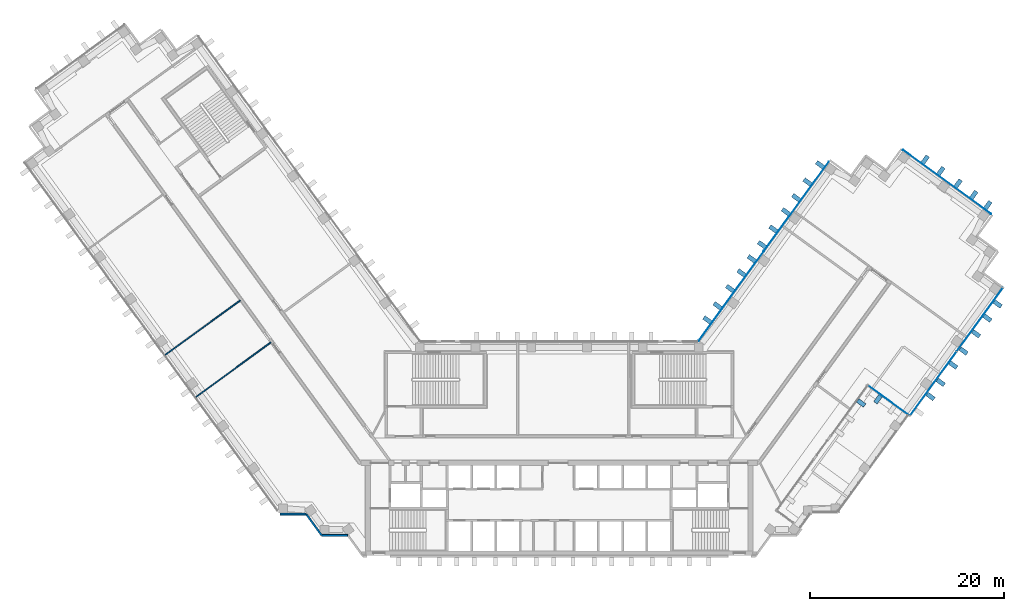
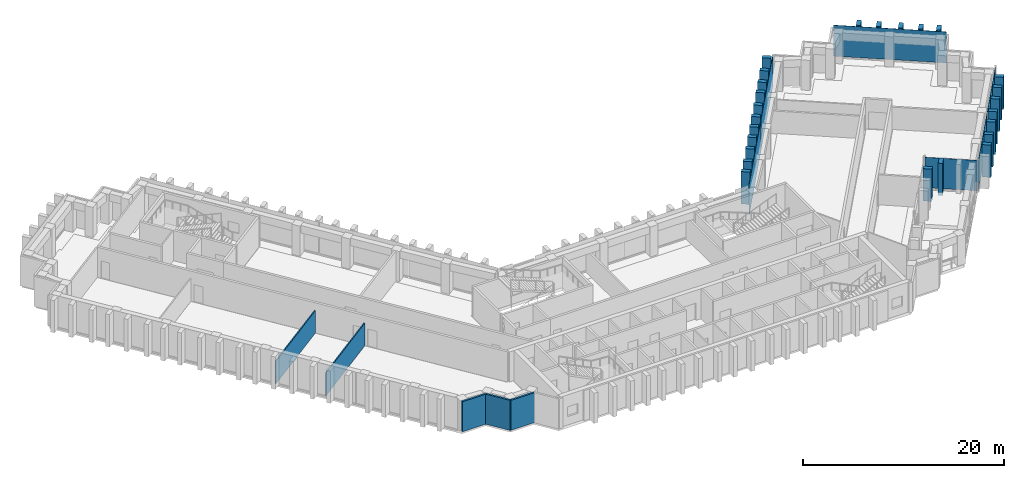
"""IFC4 building model written with IfcOpenShell, lengths in metres."""

from ifc_helpers import new_model, si_unit, direction, frame, frame_2d, origin, origin_2d, place, context, subcontext, project, spatial, rectangle, extrude, material, layer, layer_set, type_object, element, aggregate, save


model = new_model("IFC4")

# Units and contexts
model_context = context("Model", 3, precision=1e-05, world=origin(), true_north=direction((0.0, 1.0)))
body_context = subcontext(model_context, "Body", "Model", "MODEL_VIEW")
ifc_project = project(units=[si_unit("LENGTHUNIT", "METRE"), si_unit("AREAUNIT", "SQUARE_METRE"), si_unit("VOLUMEUNIT", "CUBIC_METRE"), si_unit("PLANEANGLEUNIT", "RADIAN"), si_unit("MASSUNIT", "GRAM", prefix="KILO")], contexts=[model_context])

# Site, building, storey
site_placement = place(None, origin())
site = spatial("IfcSite", under=ifc_project, at=site_placement, CompositionType="ELEMENT")
building_placement = place(site_placement, origin())
building = spatial("IfcBuilding", under=site, at=building_placement, Name="Quipu Civic Tower", CompositionType="ELEMENT")
storey_1_placement = place(building_placement, frame((0.0, 0.0, 101.0)))
storey_1 = spatial("IfcBuildingStorey", under=building, at=storey_1_placement, Name="L23", CompositionType="ELEMENT", Elevation=101.0)

# Curtain wall
ifc_material_1 = material(Name="Insulated glass unit", Category="glass")
curtain_wall_type = type_object("IfcCurtainWallType", Name="Office curtain wall CW1", PredefinedType="NOTDEFINED", material=ifc_material_1)
curtain_wall_1_placement = place(storey_1_placement, origin())
curtain_wall_1 = element("IfcCurtainWall", 1, at=curtain_wall_1_placement, inside=storey_1, type_object=curtain_wall_type, Name="Office curtain wall CW1 L22 run 31", PredefinedType="NOTDEFINED")

# Storey
storey_2_placement = place(building_placement, frame((0.0, 0.0, 105.0)))
storey_2 = spatial("IfcBuildingStorey", under=building, at=storey_2_placement, Name="L24", CompositionType="ELEMENT", Elevation=105.0)

# Plate
ifc_material_2 = material(Name="Insulated glass unit", Category="glass")
ifc_layer_1 = layer(ifc_material_2, 0.028076171875)
ifc_layer_set_1 = layer_set([ifc_layer_1], Name="Insulated glass unit")
plate_type_1 = type_object("IfcPlateType", Name="Glass panel CW1", PredefinedType="CURTAIN_PANEL", material=ifc_layer_set_1)
plate_1_placement = place(storey_2_placement, frame((40.04345703125, 27.58740234375, 0.16015625), z_axis=(0.0, 0.0, 1.0), x_axis=(-0.809015176832, 0.587787753918, 0.0)))
plate_1 = element("IfcPlate", 2, at=plate_1_placement, inside=storey_2, type_object=plate_type_1, Name="CW1 panel 1.3", PredefinedType="CURTAIN_PANEL", context=body_context, shape_type="SweptSolid", body=[
    extrude(rectangle(XDim=11.239990234375, YDim=0.028076171875, at=origin_2d()), origin(), (0.0, 0.0, 1.0), 3.760009765625),
])

aggregate(curtain_wall_1, [plate_1])

# Curtain wall, plates
curtain_wall_2_placement = place(storey_1_placement, origin())
curtain_wall_2 = element("IfcCurtainWall", 3, at=curtain_wall_2_placement, inside=storey_1, type_object=curtain_wall_type, Name="Office curtain wall CW1 L22 run 36", PredefinedType="NOTDEFINED")
plate_2_placement = place(storey_2_placement, frame((24.491455078125, 25.066162109375, 0.16015625), z_axis=(0.0, 0.0, 1.0), x_axis=(-0.587788727052, -0.809014469803, 0.0)))
plate_2 = element("IfcPlate", 4, at=plate_2_placement, inside=storey_2, type_object=plate_type_1, Name="CW1 panel 1.3", PredefinedType="CURTAIN_PANEL", context=body_context, shape_type="SweptSolid", body=[
    extrude(rectangle(XDim=11.402099609375, YDim=0.028076171875, at=origin_2d()), origin(), (0.0, 0.0, 1.0), 3.760009765625),
])
plate_3_placement = place(storey_2_placement, frame((17.7421875, 15.777099609375, 0.16015625), z_axis=(0.0, 0.0, 1.0), x_axis=(-0.587788727052, -0.809014469803, 0.0)))
plate_3 = element("IfcPlate", 5, at=plate_3_placement, inside=storey_2, type_object=plate_type_1, Name="CW1 panel 2.3", PredefinedType="CURTAIN_PANEL", context=body_context, shape_type="SweptSolid", body=[
    extrude(rectangle(XDim=11.402099609375, YDim=0.028076171875, at=origin_2d()), origin(), (0.0, 0.0, 1.0), 3.760009765625),
])
aggregate(curtain_wall_2, [plate_2, plate_3])

# Curtain wall, plate
curtain_wall_3_placement = place(storey_2_placement, origin())
curtain_wall_3 = element("IfcCurtainWall", 6, at=curtain_wall_3_placement, inside=storey_2, type_object=curtain_wall_type, Name="Office curtain wall CW1 L24 run 6", PredefinedType="NOTDEFINED")
plate_4_placement = place(storey_2_placement, frame((34.025390625, 5.013427734375, 0.240234375), z_axis=(0.0, 0.0, 1.0), x_axis=(0.809021075291, -0.587779635352, 0.0)))
plate_4 = element("IfcPlate", 7, at=plate_4_placement, type_object=plate_type_1, Name="CW1 panel 1.1", PredefinedType="CURTAIN_PANEL", context=body_context, shape_type="SweptSolid", body=[
    extrude(rectangle(XDim=5.239990234375, YDim=0.028076171875, at=origin_2d()), origin(), (0.0, 0.0, 1.0), 3.679931640625),
])
aggregate(curtain_wall_3, [plate_4])

# Curtain wall, plates
curtain_wall_4_placement = place(storey_2_placement, origin())
curtain_wall_4 = element("IfcCurtainWall", 8, at=curtain_wall_4_placement, inside=storey_2, type_object=curtain_wall_type, Name="Office curtain wall CW1 L24 run 7", PredefinedType="NOTDEFINED")
plate_5_placement = place(storey_2_placement, frame((38.631591796875, 6.759521484375, 0.240234375), z_axis=(0.0, 0.0, 1.0), x_axis=(0.587788406981, 0.80901470235, 0.0)))
plate_5 = element("IfcPlate", 9, at=plate_5_placement, type_object=plate_type_1, Name="CW1 panel 1.1", PredefinedType="CURTAIN_PANEL", context=body_context, shape_type="SweptSolid", body=[
    extrude(rectangle(XDim=8.080078125, YDim=0.028076171875, at=origin_2d()), origin(), (0.0, 0.0, 1.0), 3.679931640625),
])
plate_6_placement = place(storey_2_placement, frame((43.427734375, 13.361083984375, 0.240234375), z_axis=(0.0, 0.0, 1.0), x_axis=(0.587788406981, 0.80901470235, 0.0)))
plate_6 = element("IfcPlate", 10, at=plate_6_placement, type_object=plate_type_1, Name="CW1 panel 2.1", PredefinedType="CURTAIN_PANEL", context=body_context, shape_type="SweptSolid", body=[
    extrude(rectangle(XDim=8.080078125, YDim=0.028076171875, at=origin_2d()), origin(), (0.0, 0.0, 1.0), 3.679931640625),
])
aggregate(curtain_wall_4, [plate_5, plate_6])

# Plates
ifc_material_3 = material(Name="Precast concrete C40/50", Category="concrete")
plate_type_2 = type_object("IfcPlateType", Name="Precast fin F1", PredefinedType="SHEET", material=ifc_material_3)
for number, where, z_axis, x_axis, name in (
    (11, (44.270263671875, 25.1962890625, 0.080078125), (0.0, 0.0, 1.0), (-0.809017072762, 0.587785144401, 0.0), "Precast fin F1 L24.P23.1"),
    (12, (42.81396484375, 26.25439453125, 0.080078125), (0.0, 0.0, 1.0), (-0.809017072762, 0.587785144401, 0.0), "Precast fin F1 L24.P23.2"),
    (13, (41.196044921875, 27.429931640625, 0.080078125), (0.0, 0.0, 1.0), (-0.809017072762, 0.587785144401, 0.0), "Precast fin F1 L24.P23.3"),
    (14, (39.416259765625, 28.72314453125, 0.080078125), (0.0, 0.0, 1.0), (-0.809017072762, 0.587785144401, 0.0), "Precast fin F1 L24.P23.4"),
    (15, (37.798095703125, 29.898681640625, 0.080078125), (0.0, 0.0, 1.0), (-0.809017072762, 0.587785144401, 0.0), "Precast fin F1 L24.P23.5"),
    (16, (26.93017578125, 29.358642578125, 0.080078125), (0.0, 0.0, 1.0), (-0.587787133119, -0.809015627871, 0.0), "Precast fin F1 L24.P28.1"),
    (17, (25.636962890625, 27.578857421875, 0.080078125), (0.0, 0.0, 1.0), (-0.587787133119, -0.809015627871, 0.0), "Precast fin F1 L24.P28.2"),
    (18, (24.46142578125, 25.960693359375, 0.080078125), (0.0, 0.0, 1.0), (-0.587787133119, -0.809015627871, 0.0), "Precast fin F1 L24.P28.3"),
    (19, (23.4033203125, 24.50439453125, 0.080078125), (0.0, 0.0, 1.0), (-0.587787133119, -0.809015627871, 0.0), "Precast fin F1 L24.P28.4"),
    (20, (22.1103515625, 22.724609375, 0.080078125), (0.0, 0.0, 1.0), (-0.587787133119, -0.809015627871, 0.0), "Precast fin F1 L24.P28.5"),
    (21, (20.9345703125, 21.106689453125, 0.080078125), (0.0, 0.0, 1.0), (-0.587787133119, -0.809015627871, 0.0), "Precast fin F1 L24.P28.6"),
    (22, (19.876708984375, 19.650390625, 0.080078125), (0.0, 0.0, 1.0), (-0.587787133119, -0.809015627871, 0.0), "Precast fin F1 L24.P28.7"),
    (23, (18.818603515625, 18.194091796875, 0.080078125), (0.0, 0.0, 1.0), (-0.587787133119, -0.809015627871, 0.0), "Precast fin F1 L24.P28.8"),
    (24, (17.64306640625, 16.576171875, 0.080078125), (0.0, 0.0, 1.0), (-0.587787133119, -0.809015627871, 0.0), "Precast fin F1 L24.P28.9"),
    (25, (16.349853515625, 14.79638671875, 0.080078125), (0.0, 0.0, 1.0), (-0.587787133119, -0.809015627871, 0.0), "Precast fin F1 L24.P28.10"),
    (26, (15.2919921875, 13.340087890625, 0.080078125), (0.0, 0.0, 1.0), (-0.587787133119, -0.809015627871, 0.0), "Precast fin F1 L24.P28.11"),
    (27, (31.183837890625, 4.76025390625, 0.080078125), (0.0, 0.0, 1.0), (0.587783675566, 0.809018139931, 0.0), "Precast fin F1 L24.5.3"),
    (28, (32.913330078125, 5.1416015625, 0.080078125), (0.0, 0.0, 1.0), (0.809021075291, -0.587779635352, 0.0), "Precast fin F1 L24.6.1"),
    (29, (38.3447265625, 5.42919921875, 0.080078125), (0.0, 0.0, 1.0), (0.587786610933, 0.809016007263, 0.0), "Precast fin F1 L24.7.2"),
    (30, (39.402587890625, 6.885498046875, 0.080078125), (0.0, 0.0, 1.0), (0.587786610933, 0.809016007263, 0.0), "Precast fin F1 L24.7.3"),
    (31, (40.69580078125, 8.665283203125, 0.080078125), (0.0, 0.0, 1.0), (0.587786610933, 0.809016007263, 0.0), "Precast fin F1 L24.7.4"),
    (32, (41.75390625, 10.121337890625, 0.080078125), (0.0, 0.0, 1.0), (0.587786610933, 0.809016007263, 0.0), "Precast fin F1 L24.7.5"),
    (33, (43.046875, 11.9013671875, 0.080078125), (0.0, 0.0, 1.0), (0.587786610933, 0.809016007263, 0.0), "Precast fin F1 L24.7.6"),
    (34, (44.22265625, 13.519287109375, 0.080078125), (0.0, 0.0, 1.0), (0.587786610933, 0.809016007263, 0.0), "Precast fin F1 L24.7.7"),
    (35, (45.280517578125, 14.9755859375, 0.080078125), (0.0, 0.0, 1.0), (0.587786610933, 0.809016007263, 0.0), "Precast fin F1 L24.7.8"),
):
    element("IfcPlate", number, at=place(storey_2_placement, frame(where, z_axis=z_axis, x_axis=x_axis)), inside=storey_2, type_object=plate_type_2, Name=name, PredefinedType="SHEET", context=body_context, shape_type="SweptSolid", body=[
        extrude(rectangle(XDim=0.449951171875, YDim=0.89990234375, at=origin_2d()), origin(), (0.0, 0.0, 1.0), 3.919921875),
    ])

# Walls
ifc_material_4 = material(Name="Gypsum plasterboard on light gauge framing")
ifc_layer_2 = layer(ifc_material_4, 0.1201171875)
ifc_layer_set_2 = layer_set([ifc_layer_2], Name="Gypsum plasterboard on light gauge framing")
wall_type_1 = type_object("IfcWallType", Name="Partition 120 plasterboard", PredefinedType="PARTITIONING", material=ifc_layer_set_2)
wall_1_placement = place(storey_2_placement, frame((-32.943115234375, 15.348876953125, 0.0), z_axis=(0.0, 0.0, 1.0), x_axis=(-0.80903787798, -0.587756507402, 0.0)))
element("IfcWall", 36, at=wall_1_placement, inside=storey_2, type_object=wall_type_1, Name="Partition P10", PredefinedType="PARTITIONING", context=body_context, shape_type="SweptSolid", body=[
    extrude(rectangle(XDim=9.651611328125, YDim=0.1201171875, at=frame_2d((4.82568359375, 0.0))), origin(), (0.0, 0.0, 1.0), 2.75),
])
wall_2_placement = place(storey_2_placement, frame((-37.506103515625, 5.380615234375, 0.0), z_axis=(0.0, 0.0, 1.0), x_axis=(0.807645841498, 0.589667868135, 0.0)))
element("IfcWall", 37, at=wall_2_placement, inside=storey_2, type_object=wall_type_1, Name="Partition P11", PredefinedType="PARTITIONING", context=body_context, shape_type="SweptSolid", body=[
    extrude(rectangle(XDim=9.550537109375, YDim=0.1201171875, at=frame_2d((4.775390625, 0.0))), origin(), (0.0, 0.0, 1.0), 2.75),
])
ifc_material_5 = material(Name="Precast concrete C40/50", Category="concrete")
wall_type_2 = type_object("IfcWallType", Name="Precast cladding wall", PredefinedType="SOLIDWALL", material=ifc_material_5)
wall_3_placement = place(storey_2_placement, frame((-28.829833984375, -6.71923828125, 0.0), z_axis=(0.0, 0.0, 1.0), x_axis=(1.0, 0.0, 0.0)))
element("IfcWall", 38, at=wall_3_placement, inside=storey_2, type_object=wall_type_2, Name="Precast cladding wall L24 P12", PredefinedType="SOLIDWALL", context=body_context, shape_type="SweptSolid", body=[
    extrude(rectangle(XDim=2.699951171875, YDim=0.199951171875, at=frame_2d((1.35009765625, 0.0))), origin(), (0.0, 0.0, 1.0), 3.64990234375),
])
wall_4_placement = place(storey_2_placement, frame((-26.1201171875, -6.72412109375, 0.0), z_axis=(0.0, 0.0, 1.0), x_axis=(0.587720002413, -0.809064397168, 0.0)))
element("IfcWall", 39, at=wall_4_placement, inside=storey_2, type_object=wall_type_2, Name="Precast cladding wall L24 P13", PredefinedType="SOLIDWALL", context=body_context, shape_type="SweptSolid", body=[
    extrude(rectangle(XDim=2.7001953125, YDim=0.199951171875, at=frame_2d((1.35009765625, 0.0))), origin(), (0.0, 0.0, 1.0), 3.64990234375),
])
wall_5_placement = place(storey_2_placement, frame((-24.542724609375, -8.90380859375, 0.0), z_axis=(0.0, 0.0, 1.0), x_axis=(1.0, 0.0, 0.0)))
element("IfcWall", 40, at=wall_5_placement, inside=storey_2, type_object=wall_type_2, Name="Precast cladding wall L24 P14", PredefinedType="SOLIDWALL", context=body_context, shape_type="SweptSolid", body=[
    extrude(rectangle(XDim=2.699951171875, YDim=0.199951171875, at=frame_2d((1.35009765625, 0.0))), origin(), (0.0, 0.0, 1.0), 3.64990234375),
])

save(model, "model.ifc")
